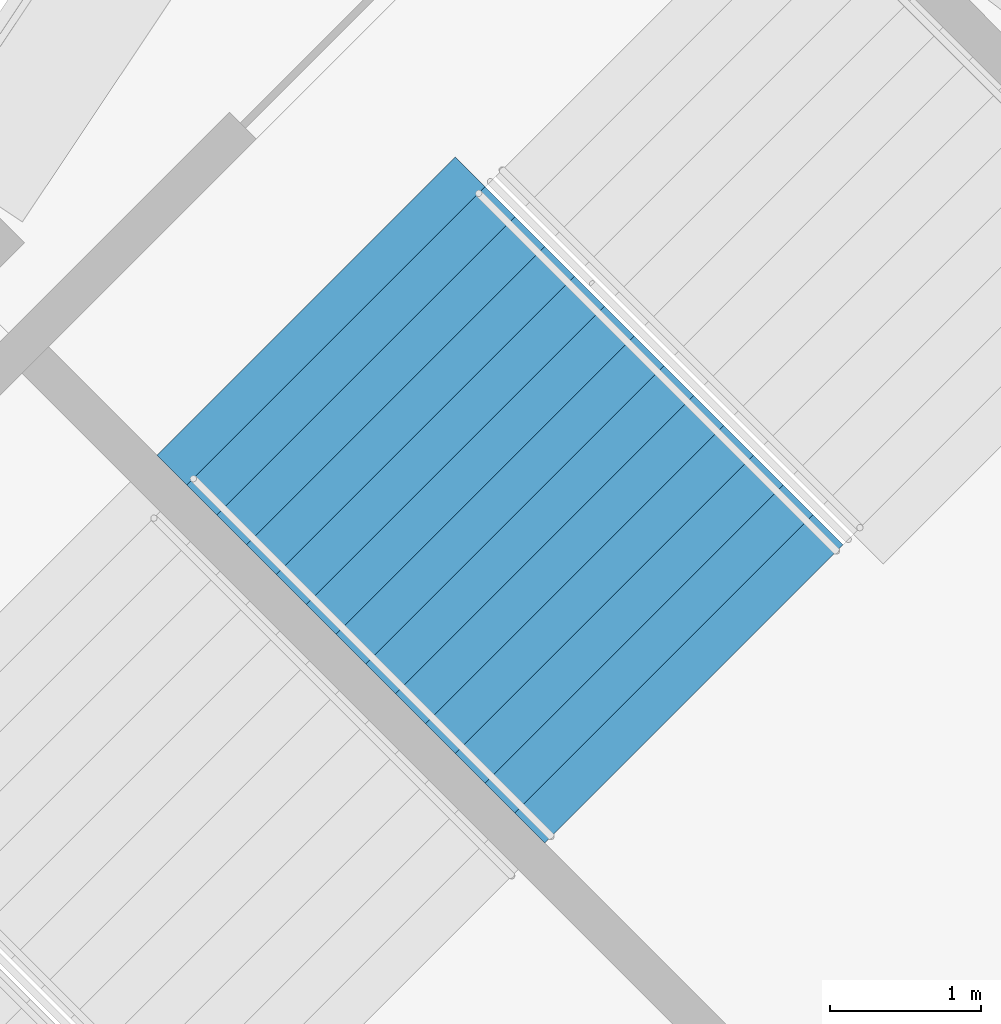
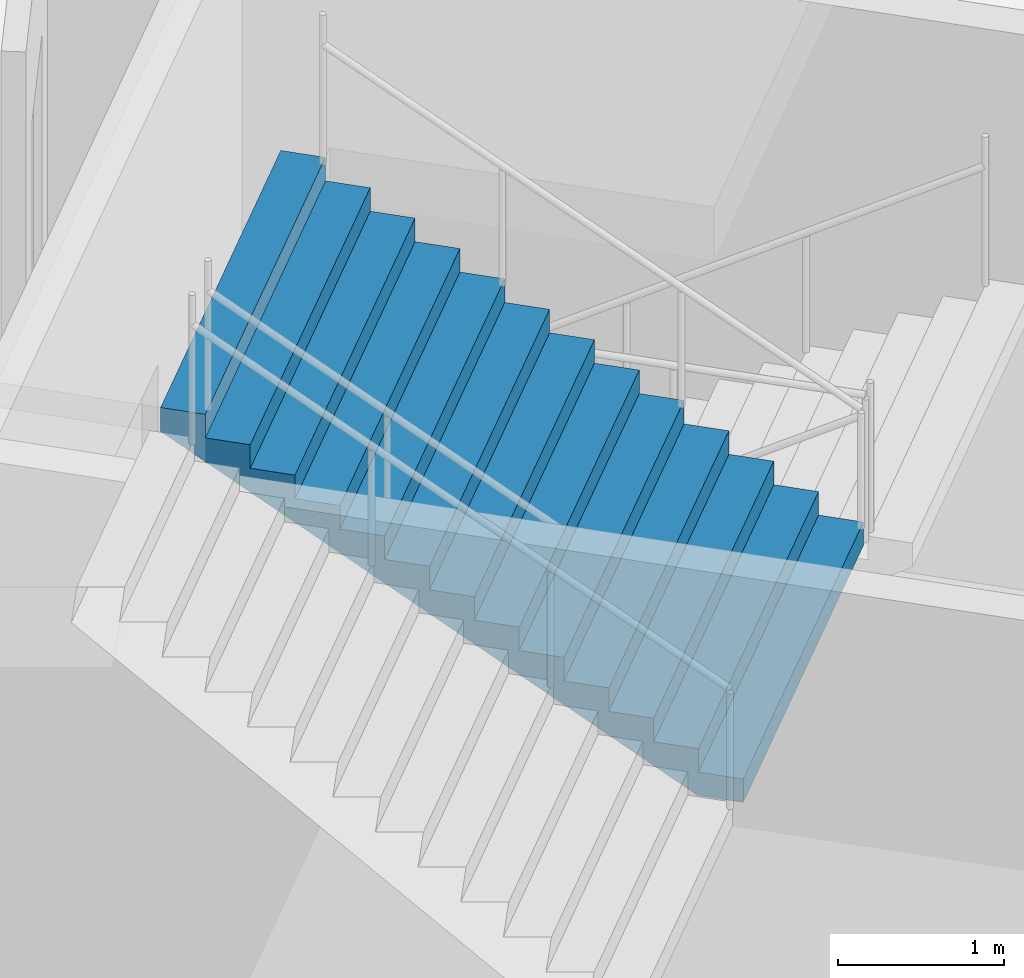
# One storey, part 117 of 177: 1 stair flight, 1 element without a shape of its own.
"""IFC4 building model written with IfcOpenShell, lengths in metres."""

from ifc_helpers import new_model, si_unit, direction, frame, origin, place, context, subcontext, project, spatial, faceted_brep, material, type_object, element, aggregate, save


model = new_model("IFC4")

# Units and contexts
model_context = context("Model", 3, precision=1e-05, world=origin(), true_north=direction((0.0, 1.0)))
body_context = subcontext(model_context, "Body", "Model", "MODEL_VIEW")
ifc_project = project(units=[si_unit("LENGTHUNIT", "METRE"), si_unit("AREAUNIT", "SQUARE_METRE"), si_unit("VOLUMEUNIT", "CUBIC_METRE"), si_unit("PLANEANGLEUNIT", "RADIAN"), si_unit("MASSUNIT", "GRAM", prefix="KILO")], contexts=[model_context])

# Site, building, storey
site_placement = place(None, origin())
site = spatial("IfcSite", under=ifc_project, at=site_placement, CompositionType="ELEMENT")
building_placement = place(site_placement, origin())
building = spatial("IfcBuilding", under=site, at=building_placement, Name="Ogive Plaza Stadium", CompositionType="ELEMENT")
storey_placement = place(building_placement, frame((0.0, 0.0, 18.0)))
storey = spatial("IfcBuildingStorey", under=building, at=storey_placement, Name="L04", CompositionType="ELEMENT", Elevation=18.0)

# Stair, stair flight
ifc_material_1 = material(Name="Concrete C40/50", Category="concrete")
stair_type = type_object("IfcStairType", Name="Exit stair", PredefinedType="STRAIGHT_RUN_STAIR", material=ifc_material_1)
stair_placement = place(storey_placement, origin())
stair = element("IfcStair", 1, at=stair_placement, inside=storey, type_object=stair_type, Name="Exit stair ST10B L04 to L05", PredefinedType="STRAIGHT_RUN_STAIR")
ifc_material_2 = material(Name="Concrete C40/50", Category="concrete")
stair_flight_type = type_object("IfcStairFlightType", Name="Exit stair flight", PredefinedType="STRAIGHT", material=ifc_material_2)
stair_flight_placement = place(storey_placement, frame((67.400146484375, -83.743408203125, 2.25), z_axis=(0.0, 0.0, 1.0), x_axis=(-0.707106781187, 0.707106781187, 0.0)))
stair_flight = element("IfcStairFlight", 2, at=stair_flight_placement, type_object=stair_flight_type, Name="ST10B flight 2", NumberOfRisers=13, NumberOfTreads=12, PredefinedType="STRAIGHT", RiserHeight=0.173076923, TreadLength=0.28, context=body_context, shape_type="Brep", body=[
    faceted_brep([(0.28515625, -1.39990234375, 0.0), (3.639892578125, -1.39990234375, 2.07373046875), (3.639892578125, -1.39990234375, 2.25), (3.360107421875, -1.39990234375, 2.25), (3.360107421875, -1.39990234375, 2.076904296875), (3.080078125, -1.39990234375, 2.076904296875), (3.080078125, -1.39990234375, 1.90380859375), (2.800048828125, -1.39990234375, 1.90380859375), (2.800048828125, -1.39990234375, 1.730712890625), (2.52001953125, -1.39990234375, 1.730712890625), (2.52001953125, -1.39990234375, 1.5576171875), (2.239990234375, -1.39990234375, 1.5576171875), (2.239990234375, -1.39990234375, 1.384521484375), (1.9599609375, -1.39990234375, 1.384521484375), (1.9599609375, -1.39990234375, 1.21142578125), (1.679931640625, -1.39990234375, 1.21142578125), (1.679931640625, -1.39990234375, 1.03857421875), (1.39990234375, -1.39990234375, 1.03857421875), (1.39990234375, -1.39990234375, 0.865478515625), (1.1201171875, -1.39990234375, 0.865478515625), (1.1201171875, -1.39990234375, 0.6923828125), (0.840087890625, -1.39990234375, 0.6923828125), (0.840087890625, -1.39990234375, 0.519287109375), (0.56005859375, -1.39990234375, 0.519287109375), (0.56005859375, -1.39990234375, 0.34619140625), (0.280029296875, -1.39990234375, 0.34619140625), (0.280029296875, -1.39990234375, 0.173095703125), (0.0, -1.39990234375, 0.173095703125), (0.0, -1.39990234375, 0.0), (0.0, 1.39990234375, 0.0), (0.0, 1.39990234375, 0.173095703125), (0.280029296875, 1.39990234375, 0.173095703125), (0.280029296875, 1.39990234375, 0.34619140625), (0.56005859375, 1.39990234375, 0.34619140625), (0.56005859375, 1.39990234375, 0.519287109375), (0.840087890625, 1.39990234375, 0.519287109375), (0.840087890625, 1.39990234375, 0.6923828125), (1.1201171875, 1.39990234375, 0.6923828125), (1.1201171875, 1.39990234375, 0.865478515625), (1.39990234375, 1.39990234375, 0.865478515625), (1.39990234375, 1.39990234375, 1.03857421875), (1.679931640625, 1.39990234375, 1.03857421875), (1.679931640625, 1.39990234375, 1.21142578125), (1.9599609375, 1.39990234375, 1.21142578125), (1.9599609375, 1.39990234375, 1.384521484375), (2.239990234375, 1.39990234375, 1.384521484375), (2.239990234375, 1.39990234375, 1.5576171875), (2.52001953125, 1.39990234375, 1.5576171875), (2.52001953125, 1.39990234375, 1.730712890625), (2.800048828125, 1.39990234375, 1.730712890625), (2.800048828125, 1.39990234375, 1.90380859375), (3.080078125, 1.39990234375, 1.90380859375), (3.080078125, 1.39990234375, 2.076904296875), (3.360107421875, 1.39990234375, 2.076904296875), (3.360107421875, 1.39990234375, 2.25), (3.639892578125, 1.39990234375, 2.25), (3.639892578125, 1.39990234375, 2.07373046875), (0.28515625, 1.39990234375, 0.0), (0.28515625, -1.0888671875, 0.0), (3.639892578125, -1.0888671875, 2.07373046875), (0.28515625, -0.77783203125, 0.0), (3.639892578125, -0.77783203125, 2.07373046875), (0.28515625, -0.466796875, 0.0), (3.639892578125, -0.466796875, 2.07373046875), (0.28515625, -0.155517578125, 0.0), (3.639892578125, -0.155517578125, 2.07373046875), (0.28515625, 0.155517578125, 0.0), (3.639892578125, 0.155517578125, 2.07373046875), (0.28515625, 0.466796875, 0.0), (3.639892578125, 0.466796875, 2.07373046875), (0.28515625, 0.77783203125, 0.0), (3.639892578125, 0.77783203125, 2.07373046875), (0.28515625, 1.0888671875, 0.0), (3.639892578125, 1.0888671875, 2.07373046875), (3.639892578125, -1.0888671875, 2.25), (3.639892578125, -0.77783203125, 2.25), (3.639892578125, -0.466796875, 2.25), (3.639892578125, -0.155517578125, 2.25), (3.639892578125, 0.155517578125, 2.25), (3.639892578125, 0.466796875, 2.25), (3.639892578125, 0.77783203125, 2.25), (3.639892578125, 1.0888671875, 2.25), (3.360107421875, -1.0888671875, 2.25), (3.360107421875, -0.77783203125, 2.25), (3.360107421875, -0.466796875, 2.25), (3.360107421875, -0.155517578125, 2.25), (3.360107421875, 0.155517578125, 2.25), (3.360107421875, 0.466796875, 2.25), (3.360107421875, 0.77783203125, 2.25), (3.360107421875, 1.0888671875, 2.25), (3.360107421875, -1.0888671875, 2.076904296875), (3.360107421875, -0.77783203125, 2.076904296875), (3.360107421875, -0.466796875, 2.076904296875), (3.360107421875, -0.155517578125, 2.076904296875), (3.360107421875, 0.155517578125, 2.076904296875), (3.360107421875, 0.466796875, 2.076904296875), (3.360107421875, 0.77783203125, 2.076904296875), (3.360107421875, 1.0888671875, 2.076904296875), (3.080078125, -1.0888671875, 2.076904296875), (3.080078125, -0.77783203125, 2.076904296875), (3.080078125, -0.466796875, 2.076904296875), (3.080078125, -0.155517578125, 2.076904296875), (3.080078125, 0.155517578125, 2.076904296875), (3.080078125, 0.466796875, 2.076904296875), (3.080078125, 0.77783203125, 2.076904296875), (3.080078125, 1.0888671875, 2.076904296875), (3.080078125, -1.0888671875, 1.90380859375), (3.080078125, -0.77783203125, 1.90380859375), (3.080078125, -0.466796875, 1.90380859375), (3.080078125, -0.155517578125, 1.90380859375), (3.080078125, 0.155517578125, 1.90380859375), (3.080078125, 0.466796875, 1.90380859375), (3.080078125, 0.77783203125, 1.90380859375), (3.080078125, 1.0888671875, 1.90380859375), (2.800048828125, -1.0888671875, 1.90380859375), (2.800048828125, -0.77783203125, 1.90380859375), (2.800048828125, -0.466796875, 1.90380859375), (2.800048828125, -0.155517578125, 1.90380859375), (2.800048828125, 0.155517578125, 1.90380859375), (2.800048828125, 0.466796875, 1.90380859375), (2.800048828125, 0.77783203125, 1.90380859375), (2.800048828125, 1.0888671875, 1.90380859375), (2.800048828125, -1.0888671875, 1.730712890625), (2.800048828125, -0.77783203125, 1.730712890625), (2.800048828125, -0.466796875, 1.730712890625), (2.800048828125, -0.155517578125, 1.730712890625), (2.800048828125, 0.155517578125, 1.730712890625), (2.800048828125, 0.466796875, 1.730712890625), (2.800048828125, 0.77783203125, 1.730712890625), (2.800048828125, 1.0888671875, 1.730712890625), (2.52001953125, -1.0888671875, 1.730712890625), (2.52001953125, -0.77783203125, 1.730712890625), (2.52001953125, -0.466796875, 1.730712890625), (2.52001953125, -0.155517578125, 1.730712890625), (2.52001953125, 0.155517578125, 1.730712890625), (2.52001953125, 0.466796875, 1.730712890625), (2.52001953125, 0.77783203125, 1.730712890625), (2.52001953125, 1.0888671875, 1.730712890625), (2.52001953125, -1.0888671875, 1.5576171875), (2.52001953125, -0.77783203125, 1.5576171875), (2.52001953125, -0.466796875, 1.5576171875), (2.52001953125, -0.155517578125, 1.5576171875), (2.52001953125, 0.155517578125, 1.5576171875), (2.52001953125, 0.466796875, 1.5576171875), (2.52001953125, 0.77783203125, 1.5576171875), (2.52001953125, 1.0888671875, 1.5576171875), (2.239990234375, -1.0888671875, 1.5576171875), (2.239990234375, -0.77783203125, 1.5576171875), (2.239990234375, -0.466796875, 1.5576171875), (2.239990234375, -0.155517578125, 1.5576171875), (2.239990234375, 0.155517578125, 1.5576171875), (2.239990234375, 0.466796875, 1.5576171875), (2.239990234375, 0.77783203125, 1.5576171875), (2.239990234375, 1.0888671875, 1.5576171875), (2.239990234375, -1.0888671875, 1.384521484375), (2.239990234375, -0.77783203125, 1.384521484375), (2.239990234375, -0.466796875, 1.384521484375), (2.239990234375, -0.155517578125, 1.384521484375), (2.239990234375, 0.155517578125, 1.384521484375), (2.239990234375, 0.466796875, 1.384521484375), (2.239990234375, 0.77783203125, 1.384521484375), (2.239990234375, 1.0888671875, 1.384521484375), (1.9599609375, -1.0888671875, 1.384521484375), (1.9599609375, -0.77783203125, 1.384521484375), (1.9599609375, -0.466796875, 1.384521484375), (1.9599609375, -0.155517578125, 1.384521484375), (1.9599609375, 0.155517578125, 1.384521484375), (1.9599609375, 0.466796875, 1.384521484375), (1.9599609375, 0.77783203125, 1.384521484375), (1.9599609375, 1.0888671875, 1.384521484375), (1.9599609375, -1.0888671875, 1.21142578125), (1.9599609375, -0.77783203125, 1.21142578125), (1.9599609375, -0.466796875, 1.21142578125), (1.9599609375, -0.155517578125, 1.21142578125), (1.9599609375, 0.155517578125, 1.21142578125), (1.9599609375, 0.466796875, 1.21142578125), (1.9599609375, 0.77783203125, 1.21142578125), (1.9599609375, 1.0888671875, 1.21142578125), (1.679931640625, -1.0888671875, 1.21142578125), (1.679931640625, -0.77783203125, 1.21142578125), (1.679931640625, -0.466796875, 1.21142578125), (1.679931640625, -0.155517578125, 1.21142578125), (1.679931640625, 0.155517578125, 1.21142578125), (1.679931640625, 0.466796875, 1.21142578125), (1.679931640625, 0.77783203125, 1.21142578125), (1.679931640625, 1.0888671875, 1.21142578125), (1.679931640625, -1.0888671875, 1.03857421875), (1.679931640625, -0.77783203125, 1.03857421875), (1.679931640625, -0.466796875, 1.03857421875), (1.679931640625, -0.155517578125, 1.03857421875), (1.679931640625, 0.155517578125, 1.03857421875), (1.679931640625, 0.466796875, 1.03857421875), (1.679931640625, 0.77783203125, 1.03857421875), (1.679931640625, 1.0888671875, 1.03857421875), (1.39990234375, -1.0888671875, 1.03857421875), (1.39990234375, -0.77783203125, 1.03857421875), (1.39990234375, -0.466796875, 1.03857421875), (1.39990234375, -0.155517578125, 1.03857421875), (1.39990234375, 0.155517578125, 1.03857421875), (1.39990234375, 0.466796875, 1.03857421875), (1.39990234375, 0.77783203125, 1.03857421875), (1.39990234375, 1.0888671875, 1.03857421875), (1.39990234375, -1.0888671875, 0.865478515625), (1.39990234375, -0.77783203125, 0.865478515625), (1.39990234375, -0.466796875, 0.865478515625), (1.39990234375, -0.155517578125, 0.865478515625), (1.39990234375, 0.155517578125, 0.865478515625), (1.39990234375, 0.466796875, 0.865478515625), (1.39990234375, 0.77783203125, 0.865478515625), (1.39990234375, 1.0888671875, 0.865478515625), (1.1201171875, -1.0888671875, 0.865478515625), (1.1201171875, -0.77783203125, 0.865478515625), (1.1201171875, -0.466796875, 0.865478515625), (1.1201171875, -0.155517578125, 0.865478515625), (1.1201171875, 0.155517578125, 0.865478515625), (1.1201171875, 0.466796875, 0.865478515625), (1.1201171875, 0.77783203125, 0.865478515625), (1.1201171875, 1.0888671875, 0.865478515625), (1.1201171875, -1.0888671875, 0.6923828125), (1.1201171875, -0.77783203125, 0.6923828125), (1.1201171875, -0.466796875, 0.6923828125), (1.1201171875, -0.155517578125, 0.6923828125), (1.1201171875, 0.155517578125, 0.6923828125), (1.1201171875, 0.466796875, 0.6923828125), (1.1201171875, 0.77783203125, 0.6923828125), (1.1201171875, 1.0888671875, 0.6923828125), (0.840087890625, -1.0888671875, 0.6923828125), (0.840087890625, -0.77783203125, 0.6923828125), (0.840087890625, -0.466796875, 0.6923828125), (0.840087890625, -0.155517578125, 0.6923828125), (0.840087890625, 0.155517578125, 0.6923828125), (0.840087890625, 0.466796875, 0.6923828125), (0.840087890625, 0.77783203125, 0.6923828125), (0.840087890625, 1.0888671875, 0.6923828125), (0.840087890625, -1.0888671875, 0.519287109375), (0.840087890625, -0.77783203125, 0.519287109375), (0.840087890625, -0.466796875, 0.519287109375), (0.840087890625, -0.155517578125, 0.519287109375), (0.840087890625, 0.155517578125, 0.519287109375), (0.840087890625, 0.466796875, 0.519287109375), (0.840087890625, 0.77783203125, 0.519287109375), (0.840087890625, 1.0888671875, 0.519287109375), (0.56005859375, -1.0888671875, 0.519287109375), (0.56005859375, -0.77783203125, 0.519287109375), (0.56005859375, -0.466796875, 0.519287109375), (0.56005859375, -0.155517578125, 0.519287109375), (0.56005859375, 0.155517578125, 0.519287109375), (0.56005859375, 0.466796875, 0.519287109375), (0.56005859375, 0.77783203125, 0.519287109375), (0.56005859375, 1.0888671875, 0.519287109375), (0.56005859375, -1.0888671875, 0.34619140625), (0.56005859375, -0.77783203125, 0.34619140625), (0.56005859375, -0.466796875, 0.34619140625), (0.56005859375, -0.155517578125, 0.34619140625), (0.56005859375, 0.155517578125, 0.34619140625), (0.56005859375, 0.466796875, 0.34619140625), (0.56005859375, 0.77783203125, 0.34619140625), (0.56005859375, 1.0888671875, 0.34619140625), (0.280029296875, -1.0888671875, 0.34619140625), (0.280029296875, -0.77783203125, 0.34619140625), (0.280029296875, -0.466796875, 0.34619140625), (0.280029296875, -0.155517578125, 0.34619140625), (0.280029296875, 0.155517578125, 0.34619140625), (0.280029296875, 0.466796875, 0.34619140625), (0.280029296875, 0.77783203125, 0.34619140625), (0.280029296875, 1.0888671875, 0.34619140625), (0.280029296875, -1.0888671875, 0.173095703125), (0.280029296875, -0.77783203125, 0.173095703125), (0.280029296875, -0.466796875, 0.173095703125), (0.280029296875, -0.155517578125, 0.173095703125), (0.280029296875, 0.155517578125, 0.173095703125), (0.280029296875, 0.466796875, 0.173095703125), (0.280029296875, 0.77783203125, 0.173095703125), (0.280029296875, 1.0888671875, 0.173095703125), (0.0, -1.0888671875, 0.173095703125), (0.0, -0.77783203125, 0.173095703125), (0.0, -0.466796875, 0.173095703125), (0.0, -0.155517578125, 0.173095703125), (0.0, 0.155517578125, 0.173095703125), (0.0, 0.466796875, 0.173095703125), (0.0, 0.77783203125, 0.173095703125), (0.0, 1.0888671875, 0.173095703125), (0.0, -1.0888671875, 0.0), (0.0, -0.77783203125, 0.0), (0.0, -0.466796875, 0.0), (0.0, -0.155517578125, 0.0), (0.0, 0.155517578125, 0.0), (0.0, 0.466796875, 0.0), (0.0, 0.77783203125, 0.0), (0.0, 1.0888671875, 0.0)], [[[0, 1, 2, 3, 4, 5, 6, 7, 8, 9, 10, 11, 12, 13, 14, 15, 16, 17, 18, 19, 20, 21, 22, 23, 24, 25, 26, 27, 28]], [[29, 30, 31, 32, 33, 34, 35, 36, 37, 38, 39, 40, 41, 42, 43, 44, 45, 46, 47, 48, 49, 50, 51, 52, 53, 54, 55, 56, 57]], [[0, 58, 59, 1]], [[58, 60, 61, 59]], [[60, 62, 63, 61]], [[62, 64, 65, 63]], [[64, 66, 67, 65]], [[66, 68, 69, 67]], [[68, 70, 71, 69]], [[70, 72, 73, 71]], [[72, 57, 56, 73]], [[1, 59, 74, 2]], [[59, 61, 75, 74]], [[61, 63, 76, 75]], [[63, 65, 77, 76]], [[65, 67, 78, 77]], [[67, 69, 79, 78]], [[69, 71, 80, 79]], [[71, 73, 81, 80]], [[73, 56, 55, 81]], [[2, 74, 82, 3]], [[74, 75, 83, 82]], [[75, 76, 84, 83]], [[76, 77, 85, 84]], [[77, 78, 86, 85]], [[78, 79, 87, 86]], [[79, 80, 88, 87]], [[80, 81, 89, 88]], [[81, 55, 54, 89]], [[3, 82, 90, 4]], [[82, 83, 91, 90]], [[83, 84, 92, 91]], [[84, 85, 93, 92]], [[85, 86, 94, 93]], [[86, 87, 95, 94]], [[87, 88, 96, 95]], [[88, 89, 97, 96]], [[89, 54, 53, 97]], [[4, 90, 98, 5]], [[90, 91, 99, 98]], [[91, 92, 100, 99]], [[92, 93, 101, 100]], [[93, 94, 102, 101]], [[94, 95, 103, 102]], [[95, 96, 104, 103]], [[96, 97, 105, 104]], [[97, 53, 52, 105]], [[5, 98, 106, 6]], [[98, 99, 107, 106]], [[99, 100, 108, 107]], [[100, 101, 109, 108]], [[101, 102, 110, 109]], [[102, 103, 111, 110]], [[103, 104, 112, 111]], [[104, 105, 113, 112]], [[105, 52, 51, 113]], [[6, 106, 114, 7]], [[106, 107, 115, 114]], [[107, 108, 116, 115]], [[108, 109, 117, 116]], [[109, 110, 118, 117]], [[110, 111, 119, 118]], [[111, 112, 120, 119]], [[112, 113, 121, 120]], [[113, 51, 50, 121]], [[7, 114, 122, 8]], [[114, 115, 123, 122]], [[115, 116, 124, 123]], [[116, 117, 125, 124]], [[117, 118, 126, 125]], [[118, 119, 127, 126]], [[119, 120, 128, 127]], [[120, 121, 129, 128]], [[121, 50, 49, 129]], [[8, 122, 130, 9]], [[122, 123, 131, 130]], [[123, 124, 132, 131]], [[124, 125, 133, 132]], [[125, 126, 134, 133]], [[126, 127, 135, 134]], [[127, 128, 136, 135]], [[128, 129, 137, 136]], [[129, 49, 48, 137]], [[9, 130, 138, 10]], [[130, 131, 139, 138]], [[131, 132, 140, 139]], [[132, 133, 141, 140]], [[133, 134, 142, 141]], [[134, 135, 143, 142]], [[135, 136, 144, 143]], [[136, 137, 145, 144]], [[137, 48, 47, 145]], [[10, 138, 146, 11]], [[138, 139, 147, 146]], [[139, 140, 148, 147]], [[140, 141, 149, 148]], [[141, 142, 150, 149]], [[142, 143, 151, 150]], [[143, 144, 152, 151]], [[144, 145, 153, 152]], [[145, 47, 46, 153]], [[11, 146, 154, 12]], [[146, 147, 155, 154]], [[147, 148, 156, 155]], [[148, 149, 157, 156]], [[149, 150, 158, 157]], [[150, 151, 159, 158]], [[151, 152, 160, 159]], [[152, 153, 161, 160]], [[153, 46, 45, 161]], [[12, 154, 162, 13]], [[154, 155, 163, 162]], [[155, 156, 164, 163]], [[156, 157, 165, 164]], [[157, 158, 166, 165]], [[158, 159, 167, 166]], [[159, 160, 168, 167]], [[160, 161, 169, 168]], [[161, 45, 44, 169]], [[13, 162, 170, 14]], [[162, 163, 171, 170]], [[163, 164, 172, 171]], [[164, 165, 173, 172]], [[165, 166, 174, 173]], [[166, 167, 175, 174]], [[167, 168, 176, 175]], [[168, 169, 177, 176]], [[169, 44, 43, 177]], [[14, 170, 178, 15]], [[170, 171, 179, 178]], [[171, 172, 180, 179]], [[172, 173, 181, 180]], [[173, 174, 182, 181]], [[174, 175, 183, 182]], [[175, 176, 184, 183]], [[176, 177, 185, 184]], [[177, 43, 42, 185]], [[15, 178, 186, 16]], [[178, 179, 187, 186]], [[179, 180, 188, 187]], [[180, 181, 189, 188]], [[181, 182, 190, 189]], [[182, 183, 191, 190]], [[183, 184, 192, 191]], [[184, 185, 193, 192]], [[185, 42, 41, 193]], [[16, 186, 194, 17]], [[186, 187, 195, 194]], [[187, 188, 196, 195]], [[188, 189, 197, 196]], [[189, 190, 198, 197]], [[190, 191, 199, 198]], [[191, 192, 200, 199]], [[192, 193, 201, 200]], [[193, 41, 40, 201]], [[17, 194, 202, 18]], [[194, 195, 203, 202]], [[195, 196, 204, 203]], [[196, 197, 205, 204]], [[197, 198, 206, 205]], [[198, 199, 207, 206]], [[199, 200, 208, 207]], [[200, 201, 209, 208]], [[201, 40, 39, 209]], [[18, 202, 210, 19]], [[202, 203, 211, 210]], [[203, 204, 212, 211]], [[204, 205, 213, 212]], [[205, 206, 214, 213]], [[206, 207, 215, 214]], [[207, 208, 216, 215]], [[208, 209, 217, 216]], [[209, 39, 38, 217]], [[19, 210, 218, 20]], [[210, 211, 219, 218]], [[211, 212, 220, 219]], [[212, 213, 221, 220]], [[213, 214, 222, 221]], [[214, 215, 223, 222]], [[215, 216, 224, 223]], [[216, 217, 225, 224]], [[217, 38, 37, 225]], [[20, 218, 226, 21]], [[218, 219, 227, 226]], [[219, 220, 228, 227]], [[220, 221, 229, 228]], [[221, 222, 230, 229]], [[222, 223, 231, 230]], [[223, 224, 232, 231]], [[224, 225, 233, 232]], [[225, 37, 36, 233]], [[21, 226, 234, 22]], [[226, 227, 235, 234]], [[227, 228, 236, 235]], [[228, 229, 237, 236]], [[229, 230, 238, 237]], [[230, 231, 239, 238]], [[231, 232, 240, 239]], [[232, 233, 241, 240]], [[233, 36, 35, 241]], [[22, 234, 242, 23]], [[234, 235, 243, 242]], [[235, 236, 244, 243]], [[236, 237, 245, 244]], [[237, 238, 246, 245]], [[238, 239, 247, 246]], [[239, 240, 248, 247]], [[240, 241, 249, 248]], [[241, 35, 34, 249]], [[23, 242, 250, 24]], [[242, 243, 251, 250]], [[243, 244, 252, 251]], [[244, 245, 253, 252]], [[245, 246, 254, 253]], [[246, 247, 255, 254]], [[247, 248, 256, 255]], [[248, 249, 257, 256]], [[249, 34, 33, 257]], [[24, 250, 258, 25]], [[250, 251, 259, 258]], [[251, 252, 260, 259]], [[252, 253, 261, 260]], [[253, 254, 262, 261]], [[254, 255, 263, 262]], [[255, 256, 264, 263]], [[256, 257, 265, 264]], [[257, 33, 32, 265]], [[25, 258, 266, 26]], [[258, 259, 267, 266]], [[259, 260, 268, 267]], [[260, 261, 269, 268]], [[261, 262, 270, 269]], [[262, 263, 271, 270]], [[263, 264, 272, 271]], [[264, 265, 273, 272]], [[265, 32, 31, 273]], [[26, 266, 274, 27]], [[266, 267, 275, 274]], [[267, 268, 276, 275]], [[268, 269, 277, 276]], [[269, 270, 278, 277]], [[270, 271, 279, 278]], [[271, 272, 280, 279]], [[272, 273, 281, 280]], [[273, 31, 30, 281]], [[27, 274, 282, 28]], [[274, 275, 283, 282]], [[275, 276, 284, 283]], [[276, 277, 285, 284]], [[277, 278, 286, 285]], [[278, 279, 287, 286]], [[279, 280, 288, 287]], [[280, 281, 289, 288]], [[281, 30, 29, 289]], [[28, 282, 58, 0]], [[282, 283, 60, 58]], [[283, 284, 62, 60]], [[284, 285, 64, 62]], [[285, 286, 66, 64]], [[286, 287, 68, 66]], [[287, 288, 70, 68]], [[288, 289, 72, 70]], [[289, 29, 57, 72]]]),
])
aggregate(stair, [stair_flight])

save(model, "model.ifc")
